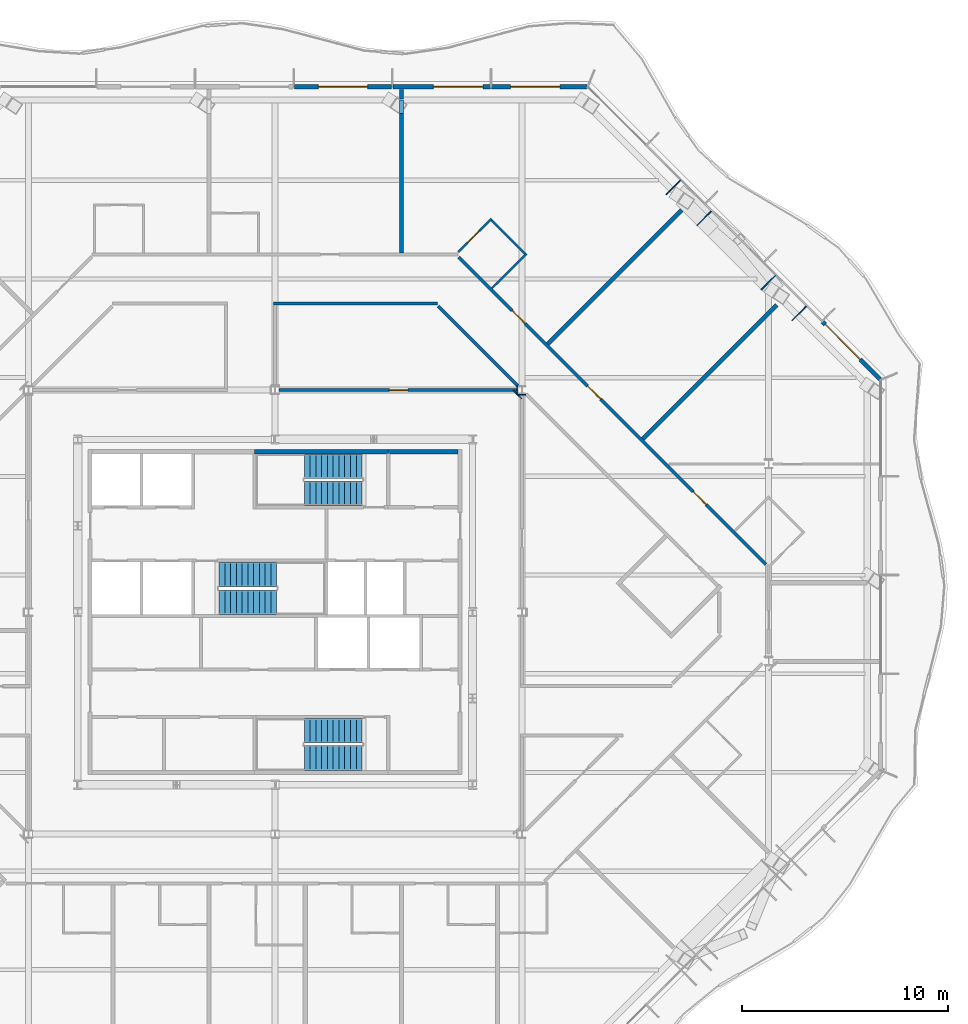
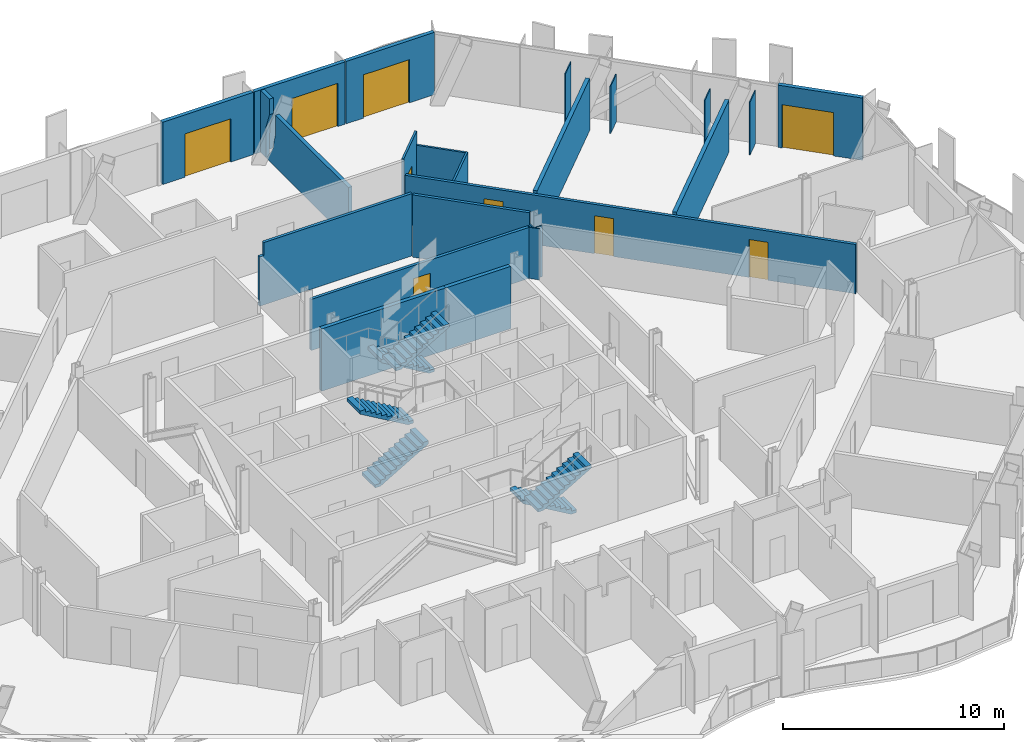
# One storey, part 13 of 21: 24 walls, 9 doors, 6 stair flights, 9 openings, 3 elements without a shape of their own.
"""IFC4 building model written with IfcOpenShell, lengths in metres."""

from ifc_helpers import new_model, si_unit, direction, frame, frame_2d, origin, place, context, subcontext, project, spatial, polyline, rectangle, outline, extrude, material, layer, layer_set, type_object, element, fill, aggregate, save


model = new_model("IFC4")

# Units and contexts
model_context = context("Model", 3, precision=1e-05, world=origin(), true_north=direction((0.0, 1.0)))
body_context = subcontext(model_context, "Body", "Model", "MODEL_VIEW")
ifc_project = project(units=[si_unit("LENGTHUNIT", "METRE"), si_unit("AREAUNIT", "SQUARE_METRE"), si_unit("VOLUMEUNIT", "CUBIC_METRE"), si_unit("PLANEANGLEUNIT", "RADIAN"), si_unit("MASSUNIT", "GRAM", prefix="KILO")], contexts=[model_context])

# Site, building, storey
site_placement = place(None, origin())
site = spatial("IfcSite", under=ifc_project, at=site_placement, CompositionType="ELEMENT")
building_placement = place(site_placement, origin())
building = spatial("IfcBuilding", under=site, at=building_placement, Name="Cairn Pilgrim Tower", CompositionType="ELEMENT")
storey_placement = place(building_placement, frame((0.0, 0.0, 179.39990234375)))
storey = spatial("IfcBuildingStorey", under=building, at=storey_placement, Name="L45", CompositionType="ELEMENT", Elevation=179.39990234375)

# Wall, opening, door
ifc_material_1 = material(Name="Bronze anodised aluminium insulated sandwich panel with mineral wool fill", Category="aluminium")
ifc_layer_1 = layer(ifc_material_1, 0.199951171875)
ifc_layer_set_1 = layer_set([ifc_layer_1], Name="BRONZE INFILL FRAME WALL 200")
wall_type_1 = type_object("IfcWallType", Name="BRONZE INFILL FRAME WALL 200", PredefinedType="NOTDEFINED", material=ifc_layer_set_1)
wall_1_placement = place(storey_placement, frame((36.621826171875, 13.724609375, 0.0), z_axis=(0.0, 0.0, 1.0), x_axis=(-0.707106781187, 0.707106781187, 0.0)))
wall_1 = element("IfcWall", 1, at=wall_1_placement, inside=storey, type_object=wall_type_1, Name="Bronze infill frame wall IW-NE1", PredefinedType="NOTDEFINED", context=body_context, shape_type="SweptSolid", body=[
    extrude(rectangle(XDim=3.961669921875, YDim=0.199951171875, at=frame_2d((1.98095703125, 0.0))), origin(), (0.0, 0.0, 1.0), 3.4501953125),
])
opening_1_placement = place(wall_1_placement, frame((1.361572265625, 0.0, 0.0)))
opening_1 = element("IfcOpeningElement", 2, at=opening_1_placement, cuts=wall_1, Name="Opening 4520B", PredefinedType="OPENING", context=body_context, shape_type="SweptSolid", body=[
    extrude(rectangle(XDim=2.39990234375, YDim=2.39990234375, at=frame_2d((1.199951171875, 1.199951171875))), frame((0.0, 0.10986328125, 0.0), z_axis=(0.0, -1.0, 0.0), x_axis=(1.0, 0.0, 0.0)), (0.0, 0.0, 1.0), 0.219970703125),
])
ifc_material_2 = material(Name="Bronze anodised aluminium frame with tinted low-E glass", Category="aluminium")
door_type_1 = type_object("IfcDoorType", Name="BALCONY SLIDING DOOR 2400x2400", OperationType="DOUBLE_DOOR_SLIDING", PredefinedType="DOOR", material=ifc_material_2)
door_1_placement = place(opening_1_placement, origin())
door_1 = element("IfcDoor", 3, at=door_1_placement, inside=storey, type_object=door_type_1, Name="Balcony sliding door 4520B", OperationType="SINGLE_SWING_LEFT", OverallHeight=2.39990234375, OverallWidth=2.39990234375, PredefinedType="DOOR", context=body_context, shape_type="SweptSolid", body=[
    extrude(rectangle(XDim=2.39990234375, YDim=2.39990234375, at=frame_2d((1.199951171875, 1.199951171875))), frame((0.0, 0.02490234375, 0.0), z_axis=(0.0, -1.0, 0.0), x_axis=(1.0, 0.0, 0.0)), (0.0, 0.0, 1.0), 0.050048828125),
])
fill(opening_1, door_1)

wall_2_placement = place(storey_placement, frame((22.3564453125, 27.949951171875, 0.0), z_axis=(0.0, 0.0, 1.0), x_axis=(-1.0, 0.0, 0.0)))
wall_2 = element("IfcWall", 4, at=wall_2_placement, inside=storey, type_object=wall_type_1, Name="Bronze infill frame wall IW-N1", PredefinedType="NOTDEFINED", context=body_context, shape_type="SweptSolid", body=[
    extrude(rectangle(XDim=4.62646484375, YDim=0.199951171875, at=frame_2d((2.313232421875, 0.0))), origin(), (0.0, 0.0, 1.0), 3.4501953125),
])
opening_2_placement = place(wall_2_placement, frame((1.308349609375, 0.0, 0.0)))
opening_2 = element("IfcOpeningElement", 5, at=opening_2_placement, cuts=wall_2, Name="Opening 4509B", PredefinedType="OPENING", context=body_context, shape_type="SweptSolid", body=[
    extrude(rectangle(XDim=2.39990234375, YDim=2.39990234375, at=frame_2d((1.199951171875, 1.199951171875))), frame((0.0, 0.10986328125, 0.0), z_axis=(0.0, -1.0, 0.0), x_axis=(1.0, 0.0, 0.0)), (0.0, 0.0, 1.0), 0.219970703125),
])
door_2_placement = place(opening_2_placement, origin())
door_2 = element("IfcDoor", 6, at=door_2_placement, inside=storey, type_object=door_type_1, Name="Balcony sliding door 4509B", OperationType="SINGLE_SWING_LEFT", OverallHeight=2.39990234375, OverallWidth=2.39990234375, PredefinedType="DOOR", context=body_context, shape_type="SweptSolid", body=[
    extrude(rectangle(XDim=2.39990234375, YDim=2.39990234375, at=frame_2d((1.199951171875, 1.199951171875))), frame((0.0, 0.02490234375, 0.0), z_axis=(0.0, -1.0, 0.0), x_axis=(1.0, 0.0, 0.0)), (0.0, 0.0, 1.0), 0.050048828125),
])
fill(opening_2, door_2)

wall_3_placement = place(storey_placement, frame((17.669921875, 27.949951171875, 0.0), z_axis=(0.0, 0.0, 1.0), x_axis=(-1.0, 0.0, 0.0)))
wall_3 = element("IfcWall", 7, at=wall_3_placement, inside=storey, type_object=wall_type_1, Name="Bronze infill frame wall IW-N2", PredefinedType="NOTDEFINED", context=body_context, shape_type="SweptSolid", body=[
    extrude(rectangle(XDim=4.739990234375, YDim=0.199951171875, at=frame_2d((2.3701171875, 0.0))), origin(), (0.0, 0.0, 1.0), 3.4501953125),
])
opening_3_placement = place(wall_3_placement, frame((0.3701171875, 0.0, 0.0)))
opening_3 = element("IfcOpeningElement", 8, at=opening_3_placement, cuts=wall_3, Name="Opening 4509B2", PredefinedType="OPENING", context=body_context, shape_type="SweptSolid", body=[
    extrude(rectangle(XDim=2.39990234375, YDim=2.39990234375, at=frame_2d((1.199951171875, 1.199951171875))), frame((0.0, 0.10986328125, 0.0), z_axis=(0.0, -1.0, 0.0), x_axis=(1.0, 0.0, 0.0)), (0.0, 0.0, 1.0), 0.219970703125),
])
door_3_placement = place(opening_3_placement, origin())
door_3 = element("IfcDoor", 9, at=door_3_placement, inside=storey, type_object=door_type_1, Name="Balcony sliding door 4509B2", OperationType="SINGLE_SWING_LEFT", OverallHeight=2.39990234375, OverallWidth=2.39990234375, PredefinedType="DOOR", context=body_context, shape_type="SweptSolid", body=[
    extrude(rectangle(XDim=2.39990234375, YDim=2.39990234375, at=frame_2d((1.199951171875, 1.199951171875))), frame((0.0, 0.02490234375, 0.0), z_axis=(0.0, -1.0, 0.0), x_axis=(1.0, 0.0, 0.0)), (0.0, 0.0, 1.0), 0.050048828125),
])
fill(opening_3, door_3)

wall_4_placement = place(storey_placement, frame((12.8701171875, 27.949951171875, 0.0), z_axis=(0.0, 0.0, 1.0), x_axis=(-1.0, 0.0, 0.0)))
wall_4 = element("IfcWall", 10, at=wall_4_placement, inside=storey, type_object=wall_type_1, Name="Bronze infill frame wall IW-N3", PredefinedType="NOTDEFINED", context=body_context, shape_type="SweptSolid", body=[
    extrude(rectangle(XDim=4.740234375, YDim=0.199951171875, at=frame_2d((2.3701171875, 0.0))), origin(), (0.0, 0.0, 1.0), 3.4501953125),
])
opening_4_placement = place(wall_4_placement, frame((1.169921875, 0.0, 0.0)))
opening_4 = element("IfcOpeningElement", 11, at=opening_4_placement, cuts=wall_4, Name="Opening 4510B", PredefinedType="OPENING", context=body_context, shape_type="SweptSolid", body=[
    extrude(rectangle(XDim=2.39990234375, YDim=2.39990234375, at=frame_2d((1.199951171875, 1.199951171875))), frame((0.0, 0.10986328125, 0.0), z_axis=(0.0, -1.0, 0.0), x_axis=(1.0, 0.0, 0.0)), (0.0, 0.0, 1.0), 0.219970703125),
])
door_4_placement = place(opening_4_placement, origin())
door_4 = element("IfcDoor", 12, at=door_4_placement, inside=storey, type_object=door_type_1, Name="Balcony sliding door 4510B", OperationType="SINGLE_SWING_LEFT", OverallHeight=2.39990234375, OverallWidth=2.39990234375, PredefinedType="DOOR", context=body_context, shape_type="SweptSolid", body=[
    extrude(rectangle(XDim=2.39990234375, YDim=2.39990234375, at=frame_2d((1.199951171875, 1.199951171875))), frame((0.0, 0.02490234375, 0.0), z_axis=(0.0, -1.0, 0.0), x_axis=(1.0, 0.0, 0.0)), (0.0, 0.0, 1.0), 0.050048828125),
])
fill(opening_4, door_4)

# Walls
ifc_material_3 = material(Name="Concrete C32/40", Category="concrete")
ifc_layer_2 = layer(ifc_material_3, 0.199951171875)
ifc_layer_set_2 = layer_set([ifc_layer_2], Name="CORE OUTER WALL 200 EI 120")
wall_type_2 = type_object("IfcWallType", Name="CORE OUTER WALL 200 EI 120", PredefinedType="SOLIDWALL", material=ifc_layer_set_2)
wall_5_placement = place(storey_placement, frame((12.699951171875, 10.199951171875, 0.0), z_axis=(0.0, 0.0, 1.0), x_axis=(1.0, 0.0, 0.0)))
element("IfcWall", 13, at=wall_5_placement, inside=storey, type_object=wall_type_2, Name="CW:L45:H12-3", PredefinedType="SOLIDWALL", context=body_context, shape_type="SweptSolid", body=[
    extrude(rectangle(XDim=3.400146484375, YDim=0.199951171875, at=frame_2d((1.7001953125, 0.0))), origin(), (0.0, 0.0, 1.0), 3.4501953125),
])
ifc_material_4 = material(Name="Gypsum partition")
ifc_layer_3 = layer(ifc_material_4, 0.10009765625)
ifc_layer_set_3 = layer_set([ifc_layer_3], Name="PARTITION 100 DRYWALL")
wall_type_3 = type_object("IfcWallType", Name="PARTITION 100 DRYWALL", PredefinedType="PARTITIONING", material=ifc_layer_set_3)
wall_6_placement = place(storey_placement, frame((17.743896484375, 18.156005859375, 0.0), z_axis=(0.0, 0.0, 1.0), x_axis=(0.707158179099, 0.707055379538, 0.0)))
element("IfcWall", 14, at=wall_6_placement, inside=storey, type_object=wall_type_3, Name="PARTITION W087", PredefinedType="PARTITIONING", context=body_context, shape_type="SweptSolid", body=[
    extrude(rectangle(XDim=2.375, YDim=0.10009765625, at=frame_2d((1.1875, 0.0))), origin(), (0.0, 0.0, 1.0), 2.72998046875),
])
wall_7_placement = place(storey_placement, frame((19.3525390625, 19.83544921875, 0.0), z_axis=(0.0, 0.0, 1.0), x_axis=(-0.707106781187, 0.707106781187, 0.0)))
element("IfcWall", 15, at=wall_7_placement, inside=storey, type_object=wall_type_3, Name="PARTITION W090", PredefinedType="PARTITIONING", context=body_context, shape_type="SweptSolid", body=[
    extrude(rectangle(XDim=2.2998046875, YDim=0.10009765625, at=frame_2d((1.14990234375, 0.0))), origin(), (0.0, 0.0, 1.0), 2.72998046875),
])

# Wall, opening, door
wall_8_placement = place(storey_placement, frame((16.1044921875, 19.910400390625, 0.0), z_axis=(0.0, 0.0, 1.0), x_axis=(0.707053561243, 0.707159997125, 0.0)))
wall_8 = element("IfcWall", 16, at=wall_8_placement, inside=storey, type_object=wall_type_3, Name="PARTITION W096", PredefinedType="PARTITIONING", context=body_context, shape_type="SweptSolid", body=[
    extrude(rectangle(XDim=2.293701171875, YDim=0.10009765625, at=frame_2d((1.14697265625, 0.0))), origin(), (0.0, 0.0, 1.0), 3.4501953125),
])
opening_5_placement = place(wall_8_placement, frame((0.643798828125, 0.0, 0.0)))
opening_5 = element("IfcOpeningElement", 17, at=opening_5_placement, cuts=wall_8, Name="Opening 4509A", PredefinedType="OPENING", context=body_context, shape_type="SweptSolid", body=[
    extrude(rectangle(XDim=0.800048828125, YDim=2.10009765625, at=frame_2d((0.39990234375, 1.050048828125))), frame((0.0, 0.06005859375, 0.0), z_axis=(0.0, -1.0, 0.0), x_axis=(1.0, 0.0, 0.0)), (0.0, 0.0, 1.0), 0.1201171875),
])
ifc_material_5 = material(Name="Timber door leaf", Category="wood")
door_type_2 = type_object("IfcDoorType", Name="WC DOOR 800x2100", OperationType="NOTDEFINED", PredefinedType="DOOR", material=ifc_material_5)
door_5_placement = place(opening_5_placement, origin())
door_5 = element("IfcDoor", 18, at=door_5_placement, inside=storey, type_object=door_type_2, Name="DOOR 4509A", OperationType="SINGLE_SWING_RIGHT", OverallHeight=2.10009765625, OverallWidth=0.800048828125, PredefinedType="DOOR", context=body_context, shape_type="SweptSolid", body=[
    extrude(rectangle(XDim=0.800048828125, YDim=2.10009765625, at=frame_2d((0.39990234375, 1.050048828125))), frame((0.0, 0.02490234375, 0.0), z_axis=(0.0, -1.0, 0.0), x_axis=(1.0, 0.0, 0.0)), (0.0, 0.0, 1.0), 0.050048828125),
])
fill(opening_5, door_5)

# Wall, openings, doors
ifc_layer_4 = layer(ifc_material_4, 0.14990234375)
ifc_layer_set_4 = layer_set([ifc_layer_4], Name="PARTITION 150 DRYWALL EI 60")
wall_type_4 = type_object("IfcWallType", Name="PARTITION 150 DRYWALL EI 60", PredefinedType="PARTITIONING", material=ifc_layer_set_4)
wall_9_placement = place(storey_placement, frame((31.072021484375, 4.721923828125, 0.0), z_axis=(0.0, 0.0, 1.0), x_axis=(-0.707101007496, 0.70711255483, 0.0)))
wall_9 = element("IfcWall", 19, at=wall_9_placement, inside=storey, type_object=wall_type_4, Name="PARTITION W061", PredefinedType="PARTITIONING", context=body_context, shape_type="SweptSolid", body=[
    extrude(rectangle(XDim=21.142578125, YDim=0.14990234375, at=frame_2d((10.5712890625, 0.0))), origin(), (0.0, 0.0, 1.0), 2.72998046875),
])
opening_6_placement = place(wall_9_placement, frame((4.1083984375, 0.0, 0.0)))
opening_6 = element("IfcOpeningElement", 20, at=opening_6_placement, cuts=wall_9, Name="Opening 4507", PredefinedType="OPENING", context=body_context, shape_type="SweptSolid", body=[
    extrude(rectangle(XDim=0.89990234375, YDim=2.10009765625, at=frame_2d((0.449951171875, 1.050048828125))), frame((0.0, 0.0849609375, 0.0), z_axis=(0.0, -1.0, 0.0), x_axis=(1.0, 0.0, 0.0)), (0.0, 0.0, 1.0), 0.169921875),
])
opening_7_placement = place(wall_9_placement, frame((11.36669921875, 0.0, 0.0)))
opening_7 = element("IfcOpeningElement", 21, at=opening_7_placement, cuts=wall_9, Name="Opening 4508", PredefinedType="OPENING", context=body_context, shape_type="SweptSolid", body=[
    extrude(rectangle(XDim=0.89990234375, YDim=2.10009765625, at=frame_2d((0.449951171875, 1.050048828125))), frame((0.0, 0.0849609375, 0.0), z_axis=(0.0, -1.0, 0.0), x_axis=(1.0, 0.0, 0.0)), (0.0, 0.0, 1.0), 0.169921875),
])
opening_8_placement = place(wall_9_placement, frame((16.5556640625, 0.0, 0.0)))
opening_8 = element("IfcOpeningElement", 22, at=opening_8_placement, cuts=wall_9, Name="Opening 4509", PredefinedType="OPENING", context=body_context, shape_type="SweptSolid", body=[
    extrude(rectangle(XDim=0.89990234375, YDim=2.10009765625, at=frame_2d((0.449951171875, 1.050048828125))), frame((0.0, 0.0849609375, 0.0), z_axis=(0.0, -1.0, 0.0), x_axis=(1.0, 0.0, 0.0)), (0.0, 0.0, 1.0), 0.169921875),
])
door_type_3 = type_object("IfcDoorType", Name="ROOM DOOR 900x2100 FD30S", OperationType="NOTDEFINED", PredefinedType="DOOR", material=ifc_material_5)
door_6_placement = place(opening_6_placement, frame((0.89990234375, 0.0, 0.0), z_axis=(0.0, 0.0, 1.0), x_axis=(-1.0, 0.0, 0.0)))
door_6 = element("IfcDoor", 23, at=door_6_placement, inside=storey, type_object=door_type_3, Name="DOOR 4507", OperationType="SINGLE_SWING_RIGHT", OverallHeight=2.10009765625, OverallWidth=0.89990234375, PredefinedType="DOOR", context=body_context, shape_type="SweptSolid", body=[
    extrude(rectangle(XDim=0.89990234375, YDim=2.10009765625, at=frame_2d((0.449951171875, 1.050048828125))), frame((0.0, 0.02490234375, 0.0), z_axis=(0.0, -1.0, 0.0), x_axis=(1.0, 0.0, 0.0)), (0.0, 0.0, 1.0), 0.050048828125),
])
fill(opening_6, door_6)
door_7_placement = place(opening_8_placement, frame((0.89990234375, 0.0, 0.0), z_axis=(0.0, 0.0, 1.0), x_axis=(-1.0, 0.0, 0.0)))
door_7 = element("IfcDoor", 24, at=door_7_placement, inside=storey, type_object=door_type_3, Name="DOOR 4509", OperationType="SINGLE_SWING_RIGHT", OverallHeight=2.10009765625, OverallWidth=0.89990234375, PredefinedType="DOOR", context=body_context, shape_type="SweptSolid", body=[
    extrude(rectangle(XDim=0.89990234375, YDim=2.10009765625, at=frame_2d((0.449951171875, 1.050048828125))), frame((0.0, 0.02490234375, 0.0), z_axis=(0.0, -1.0, 0.0), x_axis=(1.0, 0.0, 0.0)), (0.0, 0.0, 1.0), 0.050048828125),
])
fill(opening_8, door_7)
door_type_4 = type_object("IfcDoorType", Name="SERVICE DOOR 900x2100 FD30S", OperationType="NOTDEFINED", PredefinedType="DOOR", material=ifc_material_5)
door_8_placement = place(opening_7_placement, frame((0.89990234375, 0.0, 0.0), z_axis=(0.0, 0.0, 1.0), x_axis=(-1.0, 0.0, 0.0)))
door_8 = element("IfcDoor", 25, at=door_8_placement, inside=storey, type_object=door_type_4, Name="DOOR 4508", OperationType="SINGLE_SWING_RIGHT", OverallHeight=2.10009765625, OverallWidth=0.89990234375, PredefinedType="DOOR", context=body_context, shape_type="SweptSolid", body=[
    extrude(rectangle(XDim=0.89990234375, YDim=2.10009765625, at=frame_2d((0.449951171875, 1.050048828125))), frame((0.0, 0.02490234375, 0.0), z_axis=(0.0, -1.0, 0.0), x_axis=(1.0, 0.0, 0.0)), (0.0, 0.0, 1.0), 0.050048828125),
])
fill(opening_7, door_8)

# Wall, opening, door
wall_10_placement = place(storey_placement, frame((7.3994140625, 13.199951171875, 0.0), z_axis=(0.0, 0.0, 1.0), x_axis=(1.0, 0.0, 0.0)))
wall_10 = element("IfcWall", 26, at=wall_10_placement, inside=storey, type_object=wall_type_4, Name="PARTITION W078", PredefinedType="PARTITIONING", context=body_context, shape_type="SweptSolid", body=[
    extrude(rectangle(XDim=11.60107421875, YDim=0.14990234375, at=frame_2d((5.800537109375, 0.0))), origin(), (0.0, 0.0, 1.0), 2.830078125),
])
opening_9_placement = place(wall_10_placement, frame((5.3505859375, 0.0, 0.0)))
opening_9 = element("IfcOpeningElement", 27, at=opening_9_placement, cuts=wall_10, Name="Opening 4525", PredefinedType="OPENING", context=body_context, shape_type="SweptSolid", body=[
    extrude(rectangle(XDim=0.89990234375, YDim=2.10009765625, at=frame_2d((0.449951171875, 1.050048828125))), frame((0.0, 0.0849609375, 0.0), z_axis=(0.0, -1.0, 0.0), x_axis=(1.0, 0.0, 0.0)), (0.0, 0.0, 1.0), 0.169921875),
])
door_9_placement = place(opening_9_placement, origin())
door_9 = element("IfcDoor", 28, at=door_9_placement, inside=storey, type_object=door_type_4, Name="DOOR 4525", OperationType="SINGLE_SWING_RIGHT", OverallHeight=2.10009765625, OverallWidth=0.89990234375, PredefinedType="DOOR", context=body_context, shape_type="SweptSolid", body=[
    extrude(rectangle(XDim=0.89990234375, YDim=2.10009765625, at=frame_2d((0.449951171875, 1.050048828125))), frame((0.0, 0.02490234375, 0.0), z_axis=(0.0, -1.0, 0.0), x_axis=(1.0, 0.0, 0.0)), (0.0, 0.0, 1.0), 0.050048828125),
])
fill(opening_9, door_9)

# Walls
wall_11_placement = place(storey_placement, frame((19.001953125, 13.39794921875, 0.0), z_axis=(0.0, 0.0, 1.0), x_axis=(-0.707106781187, 0.707106781187, 0.0)))
element("IfcWall", 29, at=wall_11_placement, inside=storey, type_object=wall_type_4, Name="PARTITION W082", PredefinedType="PARTITIONING", context=body_context, shape_type="SweptSolid", body=[
    extrude(rectangle(XDim=5.478759765625, YDim=0.14990234375, at=frame_2d((2.7392578125, 0.0))), origin(), (0.0, 0.0, 1.0), 3.4501953125),
])
wall_12_placement = place(storey_placement, frame((7.125, 17.39990234375, 0.0), z_axis=(0.0, 0.0, 1.0), x_axis=(1.0, 0.0, 0.0)))
element("IfcWall", 30, at=wall_12_placement, inside=storey, type_object=wall_type_4, Name="PARTITION W086", PredefinedType="PARTITIONING", context=body_context, shape_type="SweptSolid", body=[
    extrude(outline(polyline([(0.0, 0.0), (7.981201171875, 0.0), (7.981201171875, 3.4501953125), (0.22509765625, 3.4501953125), (0.222900390625, 2.72998046875), (0.0, 2.72998046875), (0.0, 0.0)])), frame((0.0, 0.074951171875, 0.0), z_axis=(0.0, -1.0, 0.0), x_axis=(1.0, 0.0, 0.0)), (0.0, 0.0, 1.0), 0.14990234375),
])
ifc_layer_5 = layer(ifc_material_4, 0.050048828125)
ifc_layer_set_5 = layer_set([ifc_layer_5], Name="PARTITION 50 DRYWALL EI 60")
wall_type_5 = type_object("IfcWallType", Name="PARTITION 50 DRYWALL EI 60", PredefinedType="PARTITIONING", material=ifc_layer_set_5)
wall_13_placement = place(storey_placement, frame((18.9755859375, 13.00341796875, 0.0), z_axis=(0.0, 0.0, 1.0), x_axis=(0.0, 1.0, 0.0)))
element("IfcWall", 31, at=wall_13_placement, inside=storey, type_object=wall_type_5, Name="COLUMN CASING WC18", PredefinedType="PARTITIONING", context=body_context, shape_type="SweptSolid", body=[
    extrude(rectangle(XDim=0.39306640625, YDim=0.050048828125, at=frame_2d((0.196533203125, 0.0))), origin(), (0.0, 0.0, 1.0), 2.830078125),
])
wall_14_placement = place(storey_placement, frame((19.182373046875, 12.786376953125, 0.0), z_axis=(0.0, 0.0, 1.0), x_axis=(-0.707106781187, 0.707106781187, 0.0)))
element("IfcWall", 32, at=wall_14_placement, inside=storey, type_object=wall_type_5, Name="COLUMN CASING WC20", PredefinedType="PARTITIONING", context=body_context, shape_type="SweptSolid", body=[
    extrude(rectangle(XDim=0.56005859375, YDim=0.050048828125, at=frame_2d((0.280029296875, 0.0))), origin(), (0.0, 0.0, 1.0), 2.830078125),
])
wall_15_placement = place(storey_placement, frame((30.841796875, 18.08056640625, 0.0), z_axis=(0.0, 0.0, 1.0), x_axis=(0.707106781187, 0.707106781187, 0.0)))
element("IfcWall", 33, at=wall_15_placement, inside=storey, type_object=wall_type_5, Name="COLUMN CASING WC24", PredefinedType="PARTITIONING", context=body_context, shape_type="SweptSolid", body=[
    extrude(rectangle(XDim=0.979248046875, YDim=0.050048828125, at=frame_2d((0.48974609375, 0.0))), origin(), (0.0, 0.0, 1.0), 2.630126953125),
])
wall_16_placement = place(storey_placement, frame((32.34228515625, 16.580078125, 0.0), z_axis=(0.0, 0.0, 1.0), x_axis=(0.707106781187, 0.707106781187, 0.0)))
element("IfcWall", 34, at=wall_16_placement, inside=storey, type_object=wall_type_5, Name="COLUMN CASING WC25", PredefinedType="PARTITIONING", context=body_context, shape_type="SweptSolid", body=[
    extrude(rectangle(XDim=0.979248046875, YDim=0.050048828125, at=frame_2d((0.48974609375, 0.0))), origin(), (0.0, 0.0, 1.0), 2.93017578125),
])
wall_17_placement = place(storey_placement, frame((19.00048828125, 12.978515625, 0.0), z_axis=(0.0, 0.0, 1.0), x_axis=(1.0, 0.0, 0.0)))
element("IfcWall", 35, at=wall_17_placement, inside=storey, type_object=wall_type_5, Name="COLUMN CASING WC30", PredefinedType="PARTITIONING", context=body_context, shape_type="SweptSolid", body=[
    extrude(rectangle(XDim=0.39892578125, YDim=0.050048828125, at=frame_2d((0.199462890625, 0.0))), origin(), (0.0, 0.0, 1.0), 2.830078125),
])
wall_18_placement = place(storey_placement, frame((26.217529296875, 22.70458984375, 0.0), z_axis=(0.0, 0.0, 1.0), x_axis=(0.706982125961, 0.70723141444, 0.0)))
element("IfcWall", 36, at=wall_18_placement, inside=storey, type_object=wall_type_5, Name="COLUMN CASING WC32", PredefinedType="PARTITIONING", context=body_context, shape_type="SweptSolid", body=[
    extrude(rectangle(XDim=0.979248046875, YDim=0.050048828125, at=frame_2d((0.48974609375, 0.0))), origin(), (0.0, 0.0, 1.0), 2.93017578125),
])
wall_19_placement = place(storey_placement, frame((27.718017578125, 21.204345703125, 0.0), z_axis=(0.0, 0.0, 1.0), x_axis=(0.707106781187, 0.707106781187, 0.0)))
element("IfcWall", 37, at=wall_19_placement, inside=storey, type_object=wall_type_5, Name="COLUMN CASING WC33", PredefinedType="PARTITIONING", context=body_context, shape_type="SweptSolid", body=[
    extrude(rectangle(XDim=0.979248046875, YDim=0.050048828125, at=frame_2d((0.48974609375, 0.0))), origin(), (0.0, 0.0, 1.0), 2.630126953125),
])
ifc_layer_6 = layer(ifc_material_4, 0.199951171875)
ifc_layer_set_6 = layer_set([ifc_layer_6], Name="SHAFT WALL 200 GYPSUM EI 60")
wall_type_6 = type_object("IfcWallType", Name="SHAFT WALL 200 GYPSUM EI 60", PredefinedType="PARTITIONING", material=ifc_layer_set_6)
for number, where, z_axis, x_axis, name in (
    (38, (25.0810546875, 10.819091796875, 0.0), (0.0, 0.0, 1.0), (0.707106781187, 0.707106781187, 0.0), "PARTITION W074"),
    (39, (20.45703125, 15.443115234375, 0.0), (0.0, 0.0, 1.0), (0.707106781187, 0.707106781187, 0.0), "PARTITION W083"),
):
    element("IfcWall", number, at=place(storey_placement, frame(where, z_axis=z_axis, x_axis=x_axis)), inside=storey, type_object=wall_type_6, Name=name, PredefinedType="PARTITIONING", context=body_context, shape_type="SweptSolid", body=[
        extrude(rectangle(XDim=9.2080078125, YDim=0.199951171875, at=frame_2d((4.60400390625, 0.0))), origin(), (0.0, 0.0, 1.0), 2.880126953125),
    ])
wall_20_placement = place(storey_placement, frame((13.337890625, 19.875, 0.0), z_axis=(0.0, 0.0, 1.0), x_axis=(0.0, 1.0, 0.0)))
element("IfcWall", 40, at=wall_20_placement, inside=storey, type_object=wall_type_6, Name="PARTITION W095", PredefinedType="PARTITIONING", context=body_context, shape_type="SweptSolid", body=[
    extrude(outline(polyline([(0.0, 0.0), (7.439208984375, 0.0), (6.855224609375, 0.862548828125), (6.622802734375, 1.72509765625), (6.622802734375, 2.587646484375), (6.622802734375, 2.880126953125), (0.0, 2.880126953125), (0.0, 2.587646484375), (0.0, 1.72509765625), (0.0, 0.862548828125), (0.0, 0.0)])), frame((0.0, 0.10009765625, 0.0), z_axis=(0.0, -1.0, 0.0), x_axis=(1.0, 0.0, 0.0)), (0.0, 0.0, 1.0), 0.199951171875),
])
wall_21_placement = place(storey_placement, frame((13.337890625, 27.017578125, 0.0), z_axis=(0.0, 0.0, 1.0), x_axis=(0.0, 1.0, 0.0)))
element("IfcWall", 41, at=wall_21_placement, inside=storey, type_object=wall_type_6, Name="PARTITION W101", PredefinedType="PARTITIONING", context=body_context, shape_type="SweptSolid", body=[
    extrude(outline(polyline([(0.334716796875, 0.0), (0.80224609375, 0.0), (0.80224609375, 0.862548828125), (0.80224609375, 1.72509765625), (0.80224609375, 2.587646484375), (0.80224609375, 3.4501953125), (0.0, 3.4501953125), (0.0, 2.587646484375), (0.319091796875, 1.72509765625), (0.334716796875, 0.862548828125), (0.334716796875, 0.0)])), frame((0.0, 0.10009765625, 0.0), z_axis=(0.0, -1.0, 0.0), x_axis=(1.0, 0.0, 0.0)), (0.0, 0.0, 1.0), 0.199951171875),
])
ifc_material_6 = material(Name="Concrete C35/45", Category="concrete")
ifc_layer_7 = layer(ifc_material_6, 0.199951171875)
ifc_layer_set_7 = layer_set([ifc_layer_7], Name="STAIR SHAFT WALL 200 EI 120")
wall_type_7 = type_object("IfcWallType", Name="STAIR SHAFT WALL 200 EI 120", PredefinedType="SOLIDWALL", material=ifc_layer_set_7)
wall_22_placement = place(storey_placement, frame((6.199951171875, 10.199951171875, 0.0), z_axis=(0.0, 0.0, 1.0), x_axis=(1.0, 0.0, 0.0)))
element("IfcWall", 42, at=wall_22_placement, inside=storey, type_object=wall_type_7, Name="CW:L45:H12-2", PredefinedType="SOLIDWALL", context=body_context, shape_type="SweptSolid", body=[
    extrude(rectangle(XDim=6.5, YDim=0.199951171875, at=frame_2d((3.25, 0.0))), origin(), (0.0, 0.0, 1.0), 3.4501953125),
])

# Stair, stair flights
stair_type = type_object("IfcStairType", Name="EXIT STAIR 1200", PredefinedType="HALF_TURN_STAIR", material=ifc_material_3)
stair_1_placement = place(storey_placement, origin())
stair_1 = element("IfcStair", 43, at=stair_1_placement, inside=storey, type_object=stair_type, Name="L45 Exit Stair A", PredefinedType="HALF_TURN_STAIR")
stair_flight_type = type_object("IfcStairFlightType", Name="STAIR FLIGHT 1200", PredefinedType="STRAIGHT", material=ifc_material_3)
stair_flight_1_placement = place(storey_placement, frame((11.425048828125, -3.375, 0.0), z_axis=(0.0, 0.0, 1.0), x_axis=(-1.0, 0.0, 0.0)))
stair_flight_1 = element("IfcStairFlight", 44, at=stair_flight_1_placement, type_object=stair_flight_type, Name="ST-A flight 1", NumberOfRisers=11, NumberOfTreads=10, PredefinedType="STRAIGHT", RiserHeight=0.163636364, TreadLength=0.28, context=body_context, shape_type="SweptSolid", body=[
    extrude(outline(polyline([(0.0, 0.0), (0.0, 0.16357421875), (0.280029296875, 0.16357421875), (0.280029296875, 0.327392578125), (0.56005859375, 0.327392578125), (0.56005859375, 0.490966796875), (0.840087890625, 0.490966796875), (0.840087890625, 0.654541015625), (1.1201171875, 0.654541015625), (1.1201171875, 0.818115234375), (1.39990234375, 0.818115234375), (1.39990234375, 0.98193359375), (1.679931640625, 0.98193359375), (1.679931640625, 1.1455078125), (1.9599609375, 1.1455078125), (1.9599609375, 1.30908203125), (2.239990234375, 1.30908203125), (2.239990234375, 1.47265625), (2.52001953125, 1.47265625), (2.52001953125, 1.636474609375), (2.800048828125, 1.636474609375), (2.800048828125, 1.800048828125), (2.800048828125, 1.462646484375), (0.297119140625, 0.0), (0.0, 0.0)])), frame((0.0, 0.60009765625, 0.0), z_axis=(0.0, -1.0, 0.0), x_axis=(1.0, 0.0, 0.0)), (0.0, 0.0, 1.0), 1.199951171875),
])
stair_flight_2_placement = place(storey_placement, frame((8.625, -4.699951171875, 1.800048828125), z_axis=(0.0, 0.0, 1.0), x_axis=(1.0, 0.0, 0.0)))
stair_flight_2 = element("IfcStairFlight", 45, at=stair_flight_2_placement, type_object=stair_flight_type, Name="ST-A flight 2", NumberOfRisers=11, NumberOfTreads=10, PredefinedType="STRAIGHT", RiserHeight=0.163636364, TreadLength=0.28, context=body_context, shape_type="SweptSolid", body=[
    extrude(outline(polyline([(0.0, 0.0), (0.0, 0.16357421875), (0.280029296875, 0.16357421875), (0.280029296875, 0.327392578125), (0.56005859375, 0.327392578125), (0.56005859375, 0.490966796875), (0.840087890625, 0.490966796875), (0.840087890625, 0.654541015625), (1.1201171875, 0.654541015625), (1.1201171875, 0.818115234375), (1.39990234375, 0.818115234375), (1.39990234375, 0.98193359375), (1.679931640625, 0.98193359375), (1.679931640625, 1.1455078125), (1.9599609375, 1.1455078125), (1.9599609375, 1.30908203125), (2.239990234375, 1.30908203125), (2.239990234375, 1.47265625), (2.52001953125, 1.47265625), (2.52001953125, 1.636474609375), (2.800048828125, 1.636474609375), (2.800048828125, 1.800048828125), (2.800048828125, 1.462646484375), (0.297119140625, 0.0), (0.0, 0.0)])), frame((0.0, 0.60009765625, 0.0), z_axis=(0.0, -1.0, 0.0), x_axis=(1.0, 0.0, 0.0)), (0.0, 0.0, 1.0), 1.199951171875),
])
aggregate(stair_1, [stair_flight_1, stair_flight_2])

stair_2_placement = place(storey_placement, origin())
stair_2 = element("IfcStair", 46, at=stair_2_placement, inside=storey, type_object=stair_type, Name="L45 Exit Stair B", PredefinedType="HALF_TURN_STAIR")
stair_flight_3_placement = place(storey_placement, frame((4.47509765625, 2.875, 0.0), z_axis=(0.0, 0.0, 1.0), x_axis=(1.0, 0.0, 0.0)))
stair_flight_3 = element("IfcStairFlight", 47, at=stair_flight_3_placement, type_object=stair_flight_type, Name="ST-B flight 1", NumberOfRisers=11, NumberOfTreads=10, PredefinedType="STRAIGHT", RiserHeight=0.163636364, TreadLength=0.28, context=body_context, shape_type="SweptSolid", body=[
    extrude(outline(polyline([(0.0, 0.0), (0.0, 0.16357421875), (0.280029296875, 0.16357421875), (0.280029296875, 0.327392578125), (0.56005859375, 0.327392578125), (0.56005859375, 0.490966796875), (0.840087890625, 0.490966796875), (0.840087890625, 0.654541015625), (1.1201171875, 0.654541015625), (1.1201171875, 0.818115234375), (1.39990234375, 0.818115234375), (1.39990234375, 0.98193359375), (1.679931640625, 0.98193359375), (1.679931640625, 1.1455078125), (1.9599609375, 1.1455078125), (1.9599609375, 1.30908203125), (2.239990234375, 1.30908203125), (2.239990234375, 1.47265625), (2.52001953125, 1.47265625), (2.52001953125, 1.636474609375), (2.800048828125, 1.636474609375), (2.800048828125, 1.800048828125), (2.800048828125, 1.462646484375), (0.297119140625, 0.0), (0.0, 0.0)])), frame((0.0, 0.60009765625, 0.0), z_axis=(0.0, -1.0, 0.0), x_axis=(1.0, 0.0, 0.0)), (0.0, 0.0, 1.0), 1.199951171875),
])
stair_flight_4_placement = place(storey_placement, frame((7.27490234375, 4.22509765625, 1.800048828125), z_axis=(0.0, 0.0, 1.0), x_axis=(-1.0, 0.0, 0.0)))
stair_flight_4 = element("IfcStairFlight", 48, at=stair_flight_4_placement, type_object=stair_flight_type, Name="ST-B flight 2", NumberOfRisers=11, NumberOfTreads=10, PredefinedType="STRAIGHT", RiserHeight=0.163636364, TreadLength=0.28, context=body_context, shape_type="SweptSolid", body=[
    extrude(outline(polyline([(0.0, 0.0), (0.0, 0.16357421875), (0.280029296875, 0.16357421875), (0.280029296875, 0.327392578125), (0.56005859375, 0.327392578125), (0.56005859375, 0.490966796875), (0.840087890625, 0.490966796875), (0.840087890625, 0.654541015625), (1.1201171875, 0.654541015625), (1.1201171875, 0.818115234375), (1.39990234375, 0.818115234375), (1.39990234375, 0.98193359375), (1.679931640625, 0.98193359375), (1.679931640625, 1.1455078125), (1.9599609375, 1.1455078125), (1.9599609375, 1.30908203125), (2.239990234375, 1.30908203125), (2.239990234375, 1.47265625), (2.52001953125, 1.47265625), (2.52001953125, 1.636474609375), (2.800048828125, 1.636474609375), (2.800048828125, 1.800048828125), (2.800048828125, 1.462646484375), (0.297119140625, 0.0), (0.0, 0.0)])), frame((0.0, 0.60009765625, 0.0), z_axis=(0.0, -1.0, 0.0), x_axis=(1.0, 0.0, 0.0)), (0.0, 0.0, 1.0), 1.199951171875),
])
aggregate(stair_2, [stair_flight_3, stair_flight_4])

stair_3_placement = place(storey_placement, origin())
stair_3 = element("IfcStair", 49, at=stair_3_placement, inside=storey, type_object=stair_type, Name="L45 Exit Stair C", PredefinedType="HALF_TURN_STAIR")
stair_flight_5_placement = place(storey_placement, frame((11.425048828125, 9.5, 0.0), z_axis=(0.0, 0.0, 1.0), x_axis=(-1.0, 0.0, 0.0)))
stair_flight_5 = element("IfcStairFlight", 50, at=stair_flight_5_placement, type_object=stair_flight_type, Name="ST-C flight 1", NumberOfRisers=11, NumberOfTreads=10, PredefinedType="STRAIGHT", RiserHeight=0.163636364, TreadLength=0.28, context=body_context, shape_type="SweptSolid", body=[
    extrude(outline(polyline([(0.0, 0.0), (0.0, 0.16357421875), (0.280029296875, 0.16357421875), (0.280029296875, 0.327392578125), (0.56005859375, 0.327392578125), (0.56005859375, 0.490966796875), (0.840087890625, 0.490966796875), (0.840087890625, 0.654541015625), (1.1201171875, 0.654541015625), (1.1201171875, 0.818115234375), (1.39990234375, 0.818115234375), (1.39990234375, 0.98193359375), (1.679931640625, 0.98193359375), (1.679931640625, 1.1455078125), (1.9599609375, 1.1455078125), (1.9599609375, 1.30908203125), (2.239990234375, 1.30908203125), (2.239990234375, 1.47265625), (2.52001953125, 1.47265625), (2.52001953125, 1.636474609375), (2.800048828125, 1.636474609375), (2.800048828125, 1.800048828125), (2.800048828125, 1.462646484375), (0.297119140625, 0.0), (0.0, 0.0)])), frame((0.0, 0.60009765625, 0.0), z_axis=(0.0, -1.0, 0.0), x_axis=(1.0, 0.0, 0.0)), (0.0, 0.0, 1.0), 1.199951171875),
])
stair_flight_6_placement = place(storey_placement, frame((8.625, 8.175048828125, 1.800048828125), z_axis=(0.0, 0.0, 1.0), x_axis=(1.0, 0.0, 0.0)))
stair_flight_6 = element("IfcStairFlight", 51, at=stair_flight_6_placement, type_object=stair_flight_type, Name="ST-C flight 2", NumberOfRisers=11, NumberOfTreads=10, PredefinedType="STRAIGHT", RiserHeight=0.163636364, TreadLength=0.28, context=body_context, shape_type="SweptSolid", body=[
    extrude(outline(polyline([(0.0, 0.0), (0.0, 0.16357421875), (0.280029296875, 0.16357421875), (0.280029296875, 0.327392578125), (0.56005859375, 0.327392578125), (0.56005859375, 0.490966796875), (0.840087890625, 0.490966796875), (0.840087890625, 0.654541015625), (1.1201171875, 0.654541015625), (1.1201171875, 0.818115234375), (1.39990234375, 0.818115234375), (1.39990234375, 0.98193359375), (1.679931640625, 0.98193359375), (1.679931640625, 1.1455078125), (1.9599609375, 1.1455078125), (1.9599609375, 1.30908203125), (2.239990234375, 1.30908203125), (2.239990234375, 1.47265625), (2.52001953125, 1.47265625), (2.52001953125, 1.636474609375), (2.800048828125, 1.636474609375), (2.800048828125, 1.800048828125), (2.800048828125, 1.462646484375), (0.297119140625, 0.0), (0.0, 0.0)])), frame((0.0, 0.60009765625, 0.0), z_axis=(0.0, -1.0, 0.0), x_axis=(1.0, 0.0, 0.0)), (0.0, 0.0, 1.0), 1.199951171875),
])
aggregate(stair_3, [stair_flight_5, stair_flight_6])

save(model, "model.ifc")
